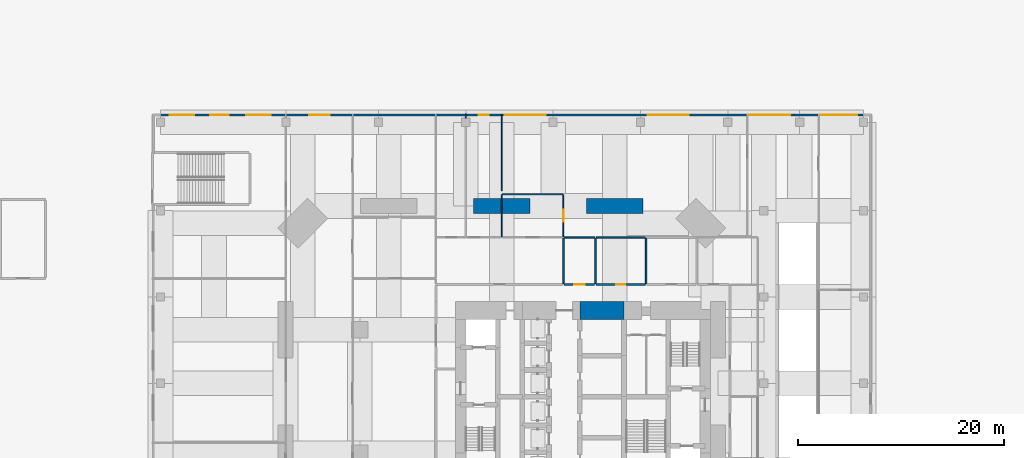
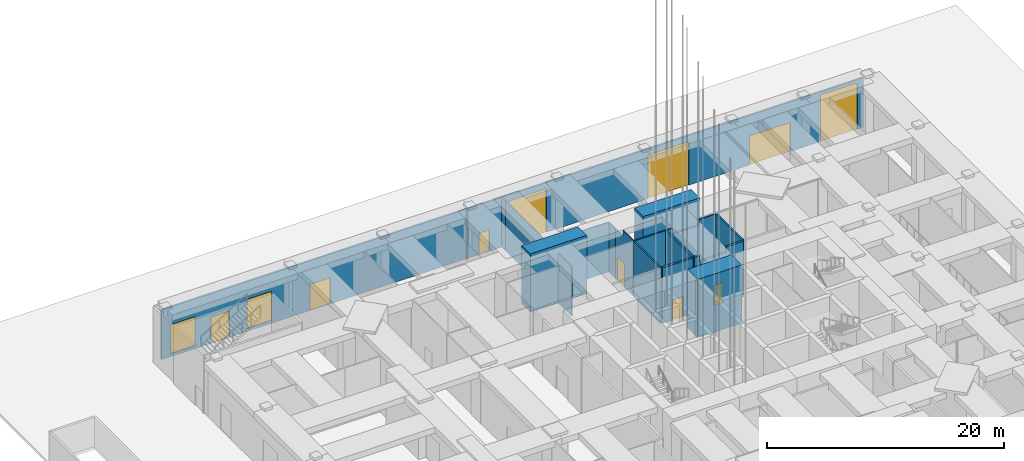
# One storey, part 8 of 17: 18 walls, 10 doors, 2 windows, 12 openings.
"""IFC4 building model written with IfcOpenShell, lengths in metres."""

import ifcopenshell
import ifcopenshell.guid

model = None  # the IFC model being written
_history = None  # IfcOwnerHistory: only IFC2X3 demands one
_inside = {}  # id of a spatial element -> (the spatial element, [elements in it])
_under = {}  # id of a project, library or spatial element -> (it, [spatial elements below it])
_declared = {}  # id of a project -> (the project, [libraries it declares])
_typed = {}  # id of a type object -> (the type object, [elements of that type])
_made_of = {}  # id of a material, layer set ... -> (it, [elements and type objects made of it])


def new_model(schema):
    """Start an empty IFC model of exactly this schema.

    Asked for "IFC4X3", IfcOpenShell would pick the latest addendum, in which some entities
    have other attributes; the version numbers below select the first issue.
    IFC2X3 requires an IfcOwnerHistory on every rooted entity: one is made here for all.
    """
    global model, _history
    if schema == "IFC4X3":
        model = ifcopenshell.file(schema_version=(4, 3, 0, 0))
    else:
        model = ifcopenshell.file(schema=schema)
    _inside.clear()
    _under.clear()
    _declared.clear()
    _typed.clear()
    _made_of.clear()
    _history = None
    if model.schema == "IFC2X3":
        org = make("IfcOrganization", Name="unknown")
        user = make(
            "IfcPersonAndOrganization",
            ThePerson=make("IfcPerson", FamilyName="unknown"),
            TheOrganization=org,
        )
        app = make(
            "IfcApplication",
            ApplicationDeveloper=org,
            Version="unknown",
            ApplicationFullName="unknown",
            ApplicationIdentifier="unknown",
        )
        _history = make(
            "IfcOwnerHistory",
            OwningUser=user,
            OwningApplication=app,
            ChangeAction="ADDED",
            CreationDate=0,
        )
    return model


def make(cls, **values):
    """One entity of the class cls with the attributes given. An attribute that is None is left unset."""
    return model.create_entity(
        cls, **{name: value for name, value in values.items() if value is not None}
    )


def rooted(cls, **values):
    """An entity with a GlobalId (a new one), such as an element, a storey or a relation."""
    return make(cls, GlobalId=ifcopenshell.guid.new(), OwnerHistory=_history, **values)


def si_unit(unit_type, name, prefix=None):
    """IfcSIUnit, for example si_unit("LENGTHUNIT", "METRE", prefix="MILLI")."""
    return make("IfcSIUnit", UnitType=unit_type, Prefix=prefix, Name=name)


def assignment(units):
    """IfcUnitAssignment: the units of a project."""
    return None if units is None else make("IfcUnitAssignment", Units=units)


def point(xyz):
    """IfcCartesianPoint."""
    return None if xyz is None else make("IfcCartesianPoint", Coordinates=xyz)


def direction(xyz):
    """IfcDirection."""
    return None if xyz is None else make("IfcDirection", DirectionRatios=xyz)


def frame(location, z_axis=None, x_axis=None):
    """IfcAxis2Placement3D, a coordinate frame: its origin and axes. An axis left out is left unset."""
    return make(
        "IfcAxis2Placement3D",
        Location=point(location),
        Axis=direction(z_axis),
        RefDirection=direction(x_axis),
    )


def frame_2d(location, x_axis=None):
    """IfcAxis2Placement2D, a coordinate frame in the plane: its origin and x axis."""
    return make(
        "IfcAxis2Placement2D", Location=point(location), RefDirection=direction(x_axis)
    )


def origin():
    """The frame at (0, 0, 0) with its axes left unset."""
    return frame((0.0, 0.0, 0.0))


def place(relative_to, where):
    """IfcLocalPlacement: puts the frame where relative to a parent placement (None: the world)."""
    return make(
        "IfcLocalPlacement", PlacementRelTo=relative_to, RelativePlacement=where
    )


def context(
    kind, dimensions, precision=None, world=None, true_north=None, identifier=None
):
    """IfcGeometricRepresentationContext, for example the 3D "Model" context."""
    return make(
        "IfcGeometricRepresentationContext",
        ContextIdentifier=identifier,
        ContextType=kind,
        CoordinateSpaceDimension=dimensions,
        Precision=precision,
        WorldCoordinateSystem=world,
        TrueNorth=true_north,
    )


def subcontext(parent, identifier, kind, view, scale=None):
    """IfcGeometricRepresentationSubContext, for example "Body" below "Model"."""
    return make(
        "IfcGeometricRepresentationSubContext",
        ContextIdentifier=identifier,
        ContextType=kind,
        ParentContext=parent,
        TargetScale=scale,
        TargetView=view,
    )


def project(units=None, contexts=None):
    """IfcProject with its units and contexts."""
    return rooted(
        "IfcProject",
        Name="project",
        RepresentationContexts=contexts,
        UnitsInContext=assignment(units),
    )


def spatial(cls, under=None, at=None, **own):
    """A site, building, storey or space (cls), placed at a placement, below another one or the project."""
    s = rooted(cls, ObjectPlacement=at, **own)
    if under is not None:
        _under.setdefault(under.id(), (under, []))[1].append(s)
    return s


def polyline(points):
    """IfcPolyline through the points."""
    return make("IfcPolyline", Points=[point(p) for p in points])


def profile(cls, at=None, kind="AREA", **sizes):
    """A parametric profile (cls). Its sizes go by their IFC names, for example OverallWidth=200.0."""
    return make(cls, ProfileType=kind, Position=at, **sizes)


def rectangle(**sizes):
    """IfcRectangleProfileDef."""
    return profile("IfcRectangleProfileDef", **sizes)


def outline(outer, holes=None, kind="AREA"):
    """IfcArbitraryClosedProfileDef: a profile drawn as a closed curve; with holes, ...WithVoids."""
    if holes is None:
        return make("IfcArbitraryClosedProfileDef", ProfileType=kind, OuterCurve=outer)
    return make(
        "IfcArbitraryProfileDefWithVoids",
        ProfileType=kind,
        OuterCurve=outer,
        InnerCurves=holes,
    )


def extrude(swept, where, along, depth):
    """IfcExtrudedAreaSolid: the profile swept, set in the frame where, extruded along a direction by depth."""
    return make(
        "IfcExtrudedAreaSolid",
        SweptArea=swept,
        Position=where,
        ExtrudedDirection=direction(along),
        Depth=depth,
    )


def shape(context_of_items, identifier, shape_type, items):
    """IfcShapeRepresentation: the items that make up one representation, for example the "Body"."""
    return make(
        "IfcShapeRepresentation",
        ContextOfItems=context_of_items,
        RepresentationIdentifier=identifier,
        RepresentationType=shape_type,
        Items=items,
    )


def material(Name=None, Category=None):
    """IfcMaterial."""
    return make("IfcMaterial", Name=Name, Category=Category)


def layer(
    of_material, thickness, ventilated=None, Name=None, Category=None, Priority=None
):
    """IfcMaterialLayer: one layer of a wall or slab, of a material (None: an air gap)."""
    return make(
        "IfcMaterialLayer",
        Material=of_material,
        LayerThickness=thickness,
        IsVentilated=ventilated,
        Name=Name,
        Category=Category,
        Priority=Priority,
    )


def layer_set(layers, Name=None):
    """IfcMaterialLayerSet."""
    return make("IfcMaterialLayerSet", MaterialLayers=layers, LayerSetName=Name)


def constituent(of_material, Name=None, Category=None, fraction=None):
    """IfcMaterialConstituent: one of the materials an element consists of."""
    return make(
        "IfcMaterialConstituent",
        Name=Name,
        Material=of_material,
        Fraction=fraction,
        Category=Category,
    )


def constituent_set(constituents=None, Name=None):
    """IfcMaterialConstituentSet."""
    return make(
        "IfcMaterialConstituentSet", Name=Name, MaterialConstituents=constituents
    )


def made_of(thing, what):
    """Note that an element or type object is made of a material, layer set ...; save() writes the relation."""
    if what is not None:
        _made_of.setdefault(what.id(), (what, []))[1].append(thing)
    return thing


def type_object(cls, material=None, **own):
    """A type object (cls), such as IfcWallType, which elements share."""
    return made_of(rooted(cls, **own), material)


def element(
    cls,
    number,
    at=None,
    inside=None,
    cuts=None,
    type_object=None,
    material=None,
    context=None,
    identifier="Body",
    shape_type=None,
    held_by="IfcProductDefinitionShape",
    body=None,
    shapes=None,
    **own,
):
    """One element of the class cls, such as IfcWall. Its Tag is "e" and its number.

    at: its placement. inside: the storey or other place that contains it. cuts: it is an
    opening in that element (IfcRelVoidsElement). A single representation is given by context,
    identifier, shape_type and body (its items); several are given by shapes. held_by: the class
    of the entity that holds the representations. save() writes the other relations.
    """
    e = rooted(cls, Tag="e%d" % number, ObjectPlacement=at, **own)
    if body is not None:
        shapes = [shape(context, identifier, shape_type, body)]
    if shapes is not None:
        e.Representation = make(held_by, Representations=shapes)
    if inside is not None:
        _inside.setdefault(inside.id(), (inside, []))[1].append(e)
    if cuts is not None:
        rooted(
            "IfcRelVoidsElement", RelatingBuildingElement=cuts, RelatedOpeningElement=e
        )
    if type_object is not None:
        _typed.setdefault(type_object.id(), (type_object, []))[1].append(e)
    return made_of(e, material)


def fill(opening, filler):
    """IfcRelFillsElement: the door or window that sits in an opening."""
    return rooted(
        "IfcRelFillsElement",
        RelatingOpeningElement=opening,
        RelatedBuildingElement=filler,
    )


def aggregate(whole, parts):
    """IfcRelAggregates: a whole, such as a stair, and the parts it consists of."""
    return rooted("IfcRelAggregates", RelatingObject=whole, RelatedObjects=parts)


def save(model, path):
    """Write the relations noted so far, then the file.

    IfcRelAggregates (storeys below a building ...), IfcRelContainedInSpatialStructure (elements
    in a storey), IfcRelDefinesByType, IfcRelAssociatesMaterial and IfcRelDeclares: one each for
    every whole, place, type object, material and project.
    """
    for whole, parts in _under.values():
        aggregate(whole, parts)
    for where, things in _inside.values():
        rooted(
            "IfcRelContainedInSpatialStructure",
            RelatedElements=things,
            RelatingStructure=where,
        )
    for kind, things in _typed.values():
        rooted("IfcRelDefinesByType", RelatedObjects=things, RelatingType=kind)
    for what, things in _made_of.values():
        rooted("IfcRelAssociatesMaterial", RelatedObjects=things, RelatingMaterial=what)
    for by, libraries in _declared.values():
        rooted("IfcRelDeclares", RelatingContext=by, RelatedDefinitions=libraries)
    model.write(path)


model = new_model("IFC4")

# Units and contexts
model_context = context("Model", 3, precision=1e-05, world=origin(), true_north=direction((0.0, 1.0)))
body_context = subcontext(model_context, "Body", "Model", "MODEL_VIEW")
ifc_project = project(units=[si_unit("LENGTHUNIT", "METRE"), si_unit("AREAUNIT", "SQUARE_METRE"), si_unit("VOLUMEUNIT", "CUBIC_METRE"), si_unit("PLANEANGLEUNIT", "RADIAN"), si_unit("MASSUNIT", "GRAM", prefix="KILO")], contexts=[model_context])

# Site, building, storey
site_placement = place(None, origin())
site = spatial("IfcSite", under=ifc_project, at=site_placement, CompositionType="ELEMENT")
building_placement = place(site_placement, origin())
building = spatial("IfcBuilding", under=site, at=building_placement, Name="Jalousie Tower", CompositionType="ELEMENT")
storey_placement = place(building_placement, origin())
storey = spatial("IfcBuildingStorey", under=building, at=storey_placement, Name="L00", CompositionType="ELEMENT", Elevation=0.0)

# Walls
ifc_material_1 = material(Name="Concrete block ASTM C90", Category="concrete")
ifc_constituent_1 = constituent(ifc_material_1, Name="Body")
ifc_material_2 = material(Name="Render")
ifc_constituent_2 = constituent(ifc_material_2, Name="Finish")
ifc_constituent_set_1 = constituent_set(constituents=[ifc_constituent_1, ifc_constituent_2])
wall_type_1 = type_object("IfcWallType", Name="BATHROOM WALL 150", PredefinedType="PLUMBINGWALL", material=ifc_constituent_set_1)
for number, where, z_axis, x_axis, name in (
    (1, (30.0, 29.5, 0.0), (0.0, 0.0, 1.0), (0.0, 1.0, 0.0), "Bathroom Wall 150 L00"),
    (2, (33.1201171875, 29.5, 0.0), (0.0, 0.0, 1.0), (0.0, 1.0, 0.0), "Bathroom Wall 150 L00"),
):
    element("IfcWall", number, at=place(storey_placement, frame(where, z_axis=z_axis, x_axis=x_axis)), inside=storey, type_object=wall_type_1, Name=name, PredefinedType="PLUMBINGWALL", context=body_context, shape_type="SweptSolid", body=[
        extrude(rectangle(XDim=4.425048828125, YDim=0.14990234375, at=frame_2d((2.21240234375, 0.0))), origin(), (0.0, 0.0, 1.0), 5.719970703125),
    ])
wall_1_placement = place(storey_placement, frame((30.074951171875, 34.0, 0.0), z_axis=(0.0, 0.0, 1.0), x_axis=(1.0, 0.0, 0.0)))
element("IfcWall", 3, at=wall_1_placement, inside=storey, type_object=wall_type_1, Name="Bathroom Wall 150 L00", PredefinedType="PLUMBINGWALL", context=body_context, shape_type="SweptSolid", body=[
    extrude(rectangle(XDim=2.969970703125, YDim=0.14990234375, at=frame_2d((1.48486328125, 0.0))), origin(), (0.0, 0.0, 1.0), 5.719970703125),
])
wall_2_placement = place(storey_placement, frame((38.06005859375, 29.5, 0.0), z_axis=(0.0, 0.0, 1.0), x_axis=(0.0, 1.0, 0.0)))
element("IfcWall", 4, at=wall_2_placement, inside=storey, type_object=wall_type_1, Name="Bathroom Wall 150 L00", PredefinedType="PLUMBINGWALL", context=body_context, shape_type="SweptSolid", body=[
    extrude(rectangle(XDim=4.425048828125, YDim=0.14990234375, at=frame_2d((2.21240234375, 0.0))), origin(), (0.0, 0.0, 1.0), 5.719970703125),
])
wall_3_placement = place(storey_placement, frame((33.195068359375, 34.0, 0.0), z_axis=(0.0, 0.0, 1.0), x_axis=(1.0, 0.0, 0.0)))
element("IfcWall", 5, at=wall_3_placement, inside=storey, type_object=wall_type_1, Name="Bathroom Wall 150 L00", PredefinedType="PLUMBINGWALL", context=body_context, shape_type="SweptSolid", body=[
    extrude(outline(polyline([(0.0, 0.0), (4.7900390625, 0.0), (4.7900390625, 5.719970703125), (3.090087890625, 5.719970703125), (3.090087890625, 5.1201171875), (0.52001953125, 5.1201171875), (0.52001953125, 5.719970703125), (0.0, 5.719970703125), (0.0, 0.0)])), frame((0.0, 0.074951171875, 0.0), z_axis=(0.0, -1.0, 0.0), x_axis=(1.0, 0.0, 0.0)), (0.0, 0.0, 1.0), 0.14990234375),
])
ifc_material_3 = material(Name="Concrete f'c 120 MPa", Category="concrete")
ifc_layer_1 = layer(ifc_material_3, 1.75)
ifc_layer_set_1 = layer_set([ifc_layer_1], Name="Concrete f'c 120 MPa")
wall_type_2 = type_object("IfcWallType", Name="CORE WALL 1750", PredefinedType="SHEAR", material=ifc_layer_set_1)
wall_4_placement = place(storey_placement, frame((35.89990234375, 26.875, 0.0), z_axis=(0.0, 0.0, 1.0), x_axis=(-1.0, 0.0, 0.0)))
element("IfcWall", 6, at=wall_4_placement, inside=storey, type_object=wall_type_2, Name="Core wall NB L00", PredefinedType="SHEAR", context=body_context, shape_type="SweptSolid", body=[
    extrude(rectangle(XDim=4.2998046875, YDim=1.75, at=frame_2d((2.14990234375, 0.0))), origin(), (0.0, 0.0, 1.0), 6.0),
])

# Wall, opening, door
ifc_material_4 = material(Name="Concrete block ASTM C90", Category="concrete")
ifc_constituent_3 = constituent(ifc_material_4, Name="Body")
ifc_material_5 = material(Name="Render")
ifc_constituent_4 = constituent(ifc_material_5, Name="Finish")
ifc_constituent_set_2 = constituent_set(constituents=[ifc_constituent_3, ifc_constituent_4])
wall_type_3 = type_object("IfcWallType", Name="CORRIDOR WALL 200", PredefinedType="PARTITIONING", material=ifc_constituent_set_2)
wall_5_placement = place(storey_placement, frame((30.074951171875, 29.39990234375, 0.0), z_axis=(0.0, 0.0, 1.0), x_axis=(1.0, 0.0, 0.0)))
wall_5 = element("IfcWall", 7, at=wall_5_placement, inside=storey, type_object=wall_type_3, Name="Corridor Wall 200 L00", PredefinedType="PARTITIONING", context=body_context, shape_type="SweptSolid", body=[
    extrude(rectangle(XDim=2.969970703125, YDim=0.199951171875, at=frame_2d((1.48486328125, 0.0))), origin(), (0.0, 0.0, 1.0), 5.719970703125),
])
opening_1_placement = place(wall_5_placement, frame((0.985107421875, 0.0, 0.0)))
opening_1 = element("IfcOpeningElement", 8, at=opening_1_placement, cuts=wall_5, Name="Opening D21", PredefinedType="OPENING", context=body_context, shape_type="SweptSolid", body=[
    extrude(rectangle(XDim=1.0, YDim=2.10009765625, at=frame_2d((0.5, 1.050048828125))), frame((0.0, 0.10986328125, 0.0), z_axis=(0.0, -1.0, 0.0), x_axis=(1.0, 0.0, 0.0)), (0.0, 0.0, 1.0), 0.219970703125),
])
ifc_material_6 = material(Name="Timber fire door", Category="wood")
door_type_1 = type_object("IfcDoorType", Name="CORRIDOR DOOR 1000", OperationType="SINGLE_SWING_LEFT", PredefinedType="DOOR", material=ifc_material_6)
door_1_placement = place(opening_1_placement, origin())
door_1 = element("IfcDoor", 9, at=door_1_placement, inside=storey, type_object=door_type_1, Name="Accessible WC door", OperationType="SINGLE_SWING_RIGHT", OverallHeight=2.10009765625, OverallWidth=1.0, PredefinedType="DOOR", context=body_context, shape_type="SweptSolid", body=[
    extrude(rectangle(XDim=1.0, YDim=2.10009765625, at=frame_2d((0.5, 1.050048828125))), frame((0.0, 0.02490234375, 0.0), z_axis=(0.0, -1.0, 0.0), x_axis=(1.0, 0.0, 0.0)), (0.0, 0.0, 1.0), 0.050048828125),
])
fill(opening_1, door_1)

wall_6_placement = place(storey_placement, frame((33.195068359375, 29.39990234375, 0.0), z_axis=(0.0, 0.0, 1.0), x_axis=(1.0, 0.0, 0.0)))
wall_6 = element("IfcWall", 10, at=wall_6_placement, inside=storey, type_object=wall_type_3, Name="Corridor Wall 200 L00", PredefinedType="PARTITIONING", context=body_context, shape_type="SweptSolid", body=[
    extrude(outline(polyline([(0.0, 0.0), (4.7900390625, 0.0), (4.7900390625, 5.719970703125), (3.114990234375, 5.719970703125), (3.114990234375, 5.1201171875), (0.4951171875, 5.1201171875), (0.4951171875, 5.719970703125), (0.0, 5.719970703125), (0.0, 0.0)])), frame((0.0, 0.10009765625, 0.0), z_axis=(0.0, -1.0, 0.0), x_axis=(1.0, 0.0, 0.0)), (0.0, 0.0, 1.0), 0.199951171875),
])
opening_2_placement = place(wall_6_placement, frame((1.945068359375, 0.0, 0.0)))
opening_2 = element("IfcOpeningElement", 11, at=opening_2_placement, cuts=wall_6, Name="Opening D20", PredefinedType="OPENING", context=body_context, shape_type="SweptSolid", body=[
    extrude(rectangle(XDim=0.89990234375, YDim=2.10009765625, at=frame_2d((0.449951171875, 1.050048828125))), frame((0.0, 0.10986328125, 0.0), z_axis=(0.0, -1.0, 0.0), x_axis=(1.0, 0.0, 0.0)), (0.0, 0.0, 1.0), 0.219970703125),
])
ifc_material_7 = material(Name="Timber fire door", Category="wood")
door_type_2 = type_object("IfcDoorType", Name="CORRIDOR DOOR 900", OperationType="SINGLE_SWING_LEFT", PredefinedType="DOOR", material=ifc_material_7)
door_2_placement = place(opening_2_placement, origin())
door_2 = element("IfcDoor", 12, at=door_2_placement, inside=storey, type_object=door_type_2, Name="Female WC door", OperationType="SINGLE_SWING_RIGHT", OverallHeight=2.10009765625, OverallWidth=0.89990234375, PredefinedType="DOOR", context=body_context, shape_type="SweptSolid", body=[
    extrude(rectangle(XDim=0.89990234375, YDim=2.10009765625, at=frame_2d((0.449951171875, 1.050048828125))), frame((0.0, 0.02490234375, 0.0), z_axis=(0.0, -1.0, 0.0), x_axis=(1.0, 0.0, 0.0)), (0.0, 0.0, 1.0), 0.050048828125),
])
fill(opening_2, door_2)

# Wall, openings, doors, windows
ifc_material_8 = material(Name="Concrete f'c 40 MPa", Category="concrete")
ifc_constituent_5 = constituent(ifc_material_8, Name="Body")
ifc_material_9 = material(Name="Render, pastel coral")
ifc_constituent_6 = constituent(ifc_material_9, Name="Finish")
ifc_constituent_set_3 = constituent_set(constituents=[ifc_constituent_5, ifc_constituent_6])
wall_type_4 = type_object("IfcWallType", Name="EXTERNAL WALL 175 CORAL RENDER", PredefinedType="SOLIDWALL", material=ifc_constituent_set_3)
wall_7_placement = place(storey_placement, frame((59.199951171875, 45.91259765625, 0.0), z_axis=(0.0, 0.0, 1.0), x_axis=(-1.0, 0.0, 0.0)))
wall_7 = element("IfcWall", 13, at=wall_7_placement, inside=storey, type_object=wall_type_4, Name="External Wall 175 Coral Render L00-B", PredefinedType="SOLIDWALL", context=body_context, shape_type="SweptSolid", body=[
    extrude(rectangle(XDim=68.39990234375, YDim=0.175048828125, at=frame_2d((34.199951171875, 0.0))), origin(), (0.0, 0.0, 1.0), 5.1201171875),
])
opening_3_placement = place(wall_7_placement, frame((0.60009765625, 0.0, 0.0)))
opening_3 = element("IfcOpeningElement", 14, at=opening_3_placement, cuts=wall_7, Name="Opening D-LOAD2", PredefinedType="OPENING", context=body_context, shape_type="SweptSolid", body=[
    extrude(rectangle(XDim=3.60009765625, YDim=4.800048828125, at=frame_2d((1.800048828125, 2.39990234375))), frame((0.0, 0.097412109375, 0.0), z_axis=(0.0, -1.0, 0.0), x_axis=(1.0, 0.0, 0.0)), (0.0, 0.0, 1.0), 0.195068359375),
])
opening_4_placement = place(wall_7_placement, frame((7.10009765625, 0.0, 0.0)))
opening_4 = element("IfcOpeningElement", 15, at=opening_4_placement, cuts=wall_7, Name="Opening D-CAR", PredefinedType="OPENING", context=body_context, shape_type="SweptSolid", body=[
    extrude(rectangle(XDim=4.0, YDim=3.0, at=frame_2d((2.0, 1.5))), frame((0.0, 0.097412109375, 0.0), z_axis=(0.0, -1.0, 0.0), x_axis=(1.0, 0.0, 0.0)), (0.0, 0.0, 1.0), 0.195068359375),
])
opening_5_placement = place(wall_7_placement, frame((30.89990234375, 0.0, 0.0)))
opening_5 = element("IfcOpeningElement", 16, at=opening_5_placement, cuts=wall_7, Name="Opening D-LOAD", PredefinedType="OPENING", context=body_context, shape_type="SweptSolid", body=[
    extrude(rectangle(XDim=4.0, YDim=4.5, at=frame_2d((2.0, 2.25))), frame((0.0, 0.097412109375, 0.0), z_axis=(0.0, -1.0, 0.0), x_axis=(1.0, 0.0, 0.0)), (0.0, 0.0, 1.0), 0.195068359375),
])
opening_6_placement = place(wall_7_placement, frame((17.0, 0.0, 0.0)))
opening_6 = element("IfcOpeningElement", 17, at=opening_6_placement, cuts=wall_7, Name="Opening D-LOAD", PredefinedType="OPENING", context=body_context, shape_type="SweptSolid", body=[
    extrude(rectangle(XDim=4.0, YDim=4.5, at=frame_2d((2.0, 2.25))), frame((0.0, 0.097412109375, 0.0), z_axis=(0.0, -1.0, 0.0), x_axis=(1.0, 0.0, 0.0)), (0.0, 0.0, 1.0), 0.195068359375),
])
opening_7_placement = place(wall_7_placement, frame((36.449951171875, 0.0, 0.0)))
opening_7 = element("IfcOpeningElement", 18, at=opening_7_placement, cuts=wall_7, Name="Opening D-PED", PredefinedType="OPENING", context=body_context, shape_type="SweptSolid", body=[
    extrude(rectangle(XDim=1.0, YDim=2.199951171875, at=frame_2d((0.5, 1.10009765625))), frame((0.0, 0.097412109375, 0.0), z_axis=(0.0, -1.0, 0.0), x_axis=(1.0, 0.0, 0.0)), (0.0, 0.0, 1.0), 0.195068359375),
])
opening_8_placement = place(wall_7_placement, frame((51.949951171875, 0.0, 0.0)))
opening_8 = element("IfcOpeningElement", 19, at=opening_8_placement, cuts=wall_7, Name="Opening D-ENT", PredefinedType="OPENING", context=body_context, shape_type="SweptSolid", body=[
    extrude(rectangle(XDim=2.0, YDim=2.699951171875, at=frame_2d((1.0, 1.35009765625))), frame((0.0, 0.097412109375, 0.0), z_axis=(0.0, -1.0, 0.0), x_axis=(1.0, 0.0, 0.0)), (0.0, 0.0, 1.0), 0.195068359375),
])
opening_9_placement = place(wall_7_placement, frame((61.78125, 0.0, 0.0)))
opening_9 = element("IfcOpeningElement", 20, at=opening_9_placement, cuts=wall_7, Name="Opening D-SHP", PredefinedType="OPENING", context=body_context, shape_type="SweptSolid", body=[
    extrude(rectangle(XDim=1.800048828125, YDim=2.699951171875, at=frame_2d((0.89990234375, 1.35009765625))), frame((0.0, 0.097412109375, 0.0), z_axis=(0.0, -1.0, 0.0), x_axis=(1.0, 0.0, 0.0)), (0.0, 0.0, 1.0), 0.195068359375),
])
opening_10_placement = place(wall_7_placement, frame((57.66552734375, 0.0, 0.300048828125)))
opening_10 = element("IfcOpeningElement", 21, at=opening_10_placement, cuts=wall_7, Name="Opening W-SHOP", PredefinedType="OPENING", context=body_context, shape_type="SweptSolid", body=[
    extrude(rectangle(XDim=2.39990234375, YDim=3.0, at=frame_2d((1.199951171875, 1.5))), frame((0.0, 0.097412109375, 0.0), z_axis=(0.0, -1.0, 0.0), x_axis=(1.0, 0.0, 0.0)), (0.0, 0.0, 1.0), 0.195068359375),
])
opening_11_placement = place(wall_7_placement, frame((65.12939453125, 0.0, 0.300048828125)))
opening_11 = element("IfcOpeningElement", 22, at=opening_11_placement, cuts=wall_7, Name="Opening W-SHOP", PredefinedType="OPENING", context=body_context, shape_type="SweptSolid", body=[
    extrude(rectangle(XDim=2.39990234375, YDim=3.0, at=frame_2d((1.199951171875, 1.5))), frame((0.0, 0.097412109375, 0.0), z_axis=(0.0, -1.0, 0.0), x_axis=(1.0, 0.0, 0.0)), (0.0, 0.0, 1.0), 0.195068359375),
])
ifc_material_10 = material(Name="Steel roller shutter", Category="steel")
door_type_3 = type_object("IfcDoorType", Name="CAR PARK DOOR 4000x3000", OperationType="ROLLINGUP", PredefinedType="DOOR", material=ifc_material_10)
door_3_placement = place(opening_4_placement, frame((4.0, 0.0, 0.0), z_axis=(0.0, 0.0, 1.0), x_axis=(-1.0, 0.0, 0.0)))
door_3 = element("IfcDoor", 23, at=door_3_placement, inside=storey, type_object=door_type_3, Name="Car park entrance street door", OperationType="ROLLINGUP", OverallHeight=3.0, OverallWidth=4.0, PredefinedType="DOOR", context=body_context, shape_type="SweptSolid", body=[
    extrude(rectangle(XDim=4.0, YDim=3.0, at=frame_2d((2.0, 1.5))), frame((0.0, 0.02490234375, 0.0), z_axis=(0.0, -1.0, 0.0), x_axis=(1.0, 0.0, 0.0)), (0.0, 0.0, 1.0), 0.050048828125),
])
fill(opening_4, door_3)
ifc_material_11 = material(Name="Aluminium frame, impact-rated glazing", Category="aluminium")
door_type_4 = type_object("IfcDoorType", Name="ENTRANCE DOOR 2000x2700", OperationType="DOUBLE_DOOR_SINGLE_SWING", PredefinedType="DOOR", material=ifc_material_11)
door_4_placement = place(opening_8_placement, frame((2.0, 0.0, 0.0), z_axis=(0.0, 0.0, 1.0), x_axis=(-1.0, 0.0, 0.0)))
door_4 = element("IfcDoor", 24, at=door_4_placement, inside=storey, type_object=door_type_4, Name="Concourse street door", OperationType="DOUBLE_DOOR_SINGLE_SWING", OverallHeight=2.699951171875, OverallWidth=2.0, PredefinedType="DOOR", context=body_context, shape_type="SweptSolid", body=[
    extrude(rectangle(XDim=2.0, YDim=2.699951171875, at=frame_2d((1.0, 1.35009765625))), frame((0.0, 0.02490234375, 0.0), z_axis=(0.0, -1.0, 0.0), x_axis=(1.0, 0.0, 0.0)), (0.0, 0.0, 1.0), 0.050048828125),
])
fill(opening_8, door_4)
ifc_material_12 = material(Name="Steel roller shutter", Category="steel")
door_type_5 = type_object("IfcDoorType", Name="LOADING DOOR 3600x4800", OperationType="ROLLINGUP", PredefinedType="DOOR", material=ifc_material_12)
door_5_placement = place(opening_3_placement, frame((3.60009765625, 0.0, 0.0), z_axis=(0.0, 0.0, 1.0), x_axis=(-1.0, 0.0, 0.0)))
door_5 = element("IfcDoor", 25, at=door_5_placement, inside=storey, type_object=door_type_5, Name="Loading berth 1 street door", OperationType="ROLLINGUP", OverallHeight=4.800048828125, OverallWidth=3.60009765625, PredefinedType="DOOR", context=body_context, shape_type="SweptSolid", body=[
    extrude(rectangle(XDim=3.60009765625, YDim=4.800048828125, at=frame_2d((1.800048828125, 2.39990234375))), frame((0.0, 0.02490234375, 0.0), z_axis=(0.0, -1.0, 0.0), x_axis=(1.0, 0.0, 0.0)), (0.0, 0.0, 1.0), 0.050048828125),
])
fill(opening_3, door_5)
ifc_material_13 = material(Name="Steel roller shutter", Category="steel")
door_type_6 = type_object("IfcDoorType", Name="LOADING DOOR 4000x4500", OperationType="ROLLINGUP", PredefinedType="DOOR", material=ifc_material_13)
door_6_placement = place(opening_5_placement, frame((4.0, 0.0, 0.0), z_axis=(0.0, 0.0, 1.0), x_axis=(-1.0, 0.0, 0.0)))
door_6 = element("IfcDoor", 26, at=door_6_placement, inside=storey, type_object=door_type_6, Name="Loading berth 3 street door", OperationType="ROLLINGUP", OverallHeight=4.5, OverallWidth=4.0, PredefinedType="DOOR", context=body_context, shape_type="SweptSolid", body=[
    extrude(rectangle(XDim=4.0, YDim=4.5, at=frame_2d((2.0, 2.25))), frame((0.0, 0.02490234375, 0.0), z_axis=(0.0, -1.0, 0.0), x_axis=(1.0, 0.0, 0.0)), (0.0, 0.0, 1.0), 0.050048828125),
])
fill(opening_5, door_6)
door_7_placement = place(opening_6_placement, frame((4.0, 0.0, 0.0), z_axis=(0.0, 0.0, 1.0), x_axis=(-1.0, 0.0, 0.0)))
door_7 = element("IfcDoor", 27, at=door_7_placement, inside=storey, type_object=door_type_6, Name="Loading berth 2 street door", OperationType="ROLLINGUP", OverallHeight=4.5, OverallWidth=4.0, PredefinedType="DOOR", context=body_context, shape_type="SweptSolid", body=[
    extrude(rectangle(XDim=4.0, YDim=4.5, at=frame_2d((2.0, 2.25))), frame((0.0, 0.02490234375, 0.0), z_axis=(0.0, -1.0, 0.0), x_axis=(1.0, 0.0, 0.0)), (0.0, 0.0, 1.0), 0.050048828125),
])
fill(opening_6, door_7)
ifc_material_14 = material(Name="Steel door", Category="steel")
door_type_7 = type_object("IfcDoorType", Name="PEDESTRIAN DOOR 1000x2200", OperationType="SINGLE_SWING_LEFT", PredefinedType="DOOR", material=ifc_material_14)
door_8_placement = place(opening_7_placement, frame((1.0, 0.0, 0.0), z_axis=(0.0, 0.0, 1.0), x_axis=(-1.0, 0.0, 0.0)))
door_8 = element("IfcDoor", 28, at=door_8_placement, inside=storey, type_object=door_type_7, Name="Management office street door", OperationType="SINGLE_SWING_LEFT", OverallHeight=2.199951171875, OverallWidth=1.0, PredefinedType="DOOR", context=body_context, shape_type="SweptSolid", body=[
    extrude(rectangle(XDim=1.0, YDim=2.199951171875, at=frame_2d((0.5, 1.10009765625))), frame((0.0, 0.02490234375, 0.0), z_axis=(0.0, -1.0, 0.0), x_axis=(1.0, 0.0, 0.0)), (0.0, 0.0, 1.0), 0.050048828125),
])
fill(opening_7, door_8)
ifc_material_15 = material(Name="Aluminium frame, impact-rated glazing", Category="aluminium")
door_type_8 = type_object("IfcDoorType", Name="SHOP DOOR 1800x2700", OperationType="DOUBLE_DOOR_SINGLE_SWING", PredefinedType="DOOR", material=ifc_material_15)
door_9_placement = place(opening_9_placement, frame((1.800048828125, 0.0, 0.0), z_axis=(0.0, 0.0, 1.0), x_axis=(-1.0, 0.0, 0.0)))
door_9 = element("IfcDoor", 29, at=door_9_placement, inside=storey, type_object=door_type_8, Name="Retail unit 3 street door", OperationType="DOUBLE_DOOR_SINGLE_SWING", OverallHeight=2.699951171875, OverallWidth=1.800048828125, PredefinedType="DOOR", context=body_context, shape_type="SweptSolid", body=[
    extrude(rectangle(XDim=1.800048828125, YDim=2.699951171875, at=frame_2d((0.89990234375, 1.35009765625))), frame((0.0, 0.02490234375, 0.0), z_axis=(0.0, -1.0, 0.0), x_axis=(1.0, 0.0, 0.0)), (0.0, 0.0, 1.0), 0.050048828125),
])
fill(opening_9, door_9)
ifc_material_16 = material(Name="Aluminium frame, impact-rated glazing", Category="aluminium")
window_type = type_object("IfcWindowType", Name="WINDOW SHOP 2400x3000", PartitioningType="DOUBLE_PANEL_VERTICAL", PredefinedType="WINDOW", material=ifc_material_16)
window_1_placement = place(opening_10_placement, origin())
window_1 = element("IfcWindow", 30, at=window_1_placement, inside=storey, type_object=window_type, Name="Retail unit 3 shopfront window", OverallHeight=3.0, OverallWidth=2.39990234375, PartitioningType="SINGLE_PANEL", PredefinedType="WINDOW", context=body_context, shape_type="SweptSolid", body=[
    extrude(rectangle(XDim=2.39990234375, YDim=3.0, at=frame_2d((1.199951171875, 1.5))), frame((0.0, 0.030029296875, 0.0), z_axis=(0.0, -1.0, 0.0), x_axis=(1.0, 0.0, 0.0)), (0.0, 0.0, 1.0), 0.06005859375),
])
fill(opening_10, window_1)
window_2_placement = place(opening_11_placement, origin())
window_2 = element("IfcWindow", 31, at=window_2_placement, inside=storey, type_object=window_type, Name="Retail unit 3 shopfront window", OverallHeight=3.0, OverallWidth=2.39990234375, PartitioningType="SINGLE_PANEL", PredefinedType="WINDOW", context=body_context, shape_type="SweptSolid", body=[
    extrude(rectangle(XDim=2.39990234375, YDim=3.0, at=frame_2d((1.199951171875, 1.5))), frame((0.0, 0.030029296875, 0.0), z_axis=(0.0, -1.0, 0.0), x_axis=(1.0, 0.0, 0.0)), (0.0, 0.0, 1.0), 0.06005859375),
])
fill(opening_11, window_2)

# Wall, opening, door
ifc_material_17 = material(Name="Type X gypsum board", Category="gypsum")
ifc_constituent_7 = constituent(ifc_material_17, Name="Body")
ifc_material_18 = material(Name="Light-gauge steel studs ASTM A653 SS Grade 33", Category="steel")
ifc_constituent_8 = constituent(ifc_material_18, Name="Framing")
ifc_constituent_set_4 = constituent_set(constituents=[ifc_constituent_7, ifc_constituent_8])
wall_type_5 = type_object("IfcWallType", Name="FIRE PARTITION 100", PredefinedType="PARTITIONING", material=ifc_constituent_set_4)
wall_8_placement = place(storey_placement, frame((30.0, 34.074951171875, 0.0), z_axis=(0.0, 0.0, 1.0), x_axis=(0.0, 1.0, 0.0)))
wall_8 = element("IfcWall", 32, at=wall_8_placement, inside=storey, type_object=wall_type_5, Name="Fire Partition 100 L00-A", PredefinedType="PARTITIONING", context=body_context, shape_type="SweptSolid", body=[
    extrude(outline(polyline([(0.0, 0.0), (2.97509765625, 0.0), (2.97509765625, 5.1201171875), (1.715087890625, 5.1201171875), (1.715087890625, 5.719970703125), (0.0, 5.719970703125), (0.0, 0.0)])), frame((0.0, 0.050048828125, 0.0), z_axis=(0.0, -1.0, 0.0), x_axis=(1.0, 0.0, 0.0)), (0.0, 0.0, 1.0), 0.10009765625),
])
opening_12_placement = place(wall_8_placement, frame((1.425048828125, 0.0, 0.0)))
opening_12 = element("IfcOpeningElement", 33, at=opening_12_placement, cuts=wall_8, Name="Opening D8", PredefinedType="OPENING", context=body_context, shape_type="SweptSolid", body=[
    extrude(rectangle(XDim=1.199951171875, YDim=2.39990234375, at=frame_2d((0.60009765625, 1.199951171875))), frame((0.0, 0.06005859375, 0.0), z_axis=(0.0, -1.0, 0.0), x_axis=(1.0, 0.0, 0.0)), (0.0, 0.0, 1.0), 0.1201171875),
])
ifc_material_19 = material(Name="Steel fire door", Category="steel")
door_type_9 = type_object("IfcDoorType", Name="SERVICE DOOR 1200", OperationType="SINGLE_SWING_LEFT", PredefinedType="DOOR", material=ifc_material_19)
door_10_placement = place(opening_12_placement, origin())
door_10 = element("IfcDoor", 34, at=door_10_placement, inside=storey, type_object=door_type_9, Name="Refuse store loading door", OperationType="SINGLE_SWING_RIGHT", OverallHeight=2.39990234375, OverallWidth=1.199951171875, PredefinedType="DOOR", context=body_context, shape_type="SweptSolid", body=[
    extrude(rectangle(XDim=1.199951171875, YDim=2.39990234375, at=frame_2d((0.60009765625, 1.199951171875))), frame((0.0, 0.02490234375, 0.0), z_axis=(0.0, -1.0, 0.0), x_axis=(1.0, 0.0, 0.0)), (0.0, 0.0, 1.0), 0.050048828125),
])
fill(opening_12, door_10)

# Walls
wall_9_placement = place(storey_placement, frame((30.0, 37.050048828125, 0.0), z_axis=(0.0, 0.0, 1.0), x_axis=(0.0, 1.0, 0.0)))
element("IfcWall", 35, at=wall_9_placement, inside=storey, type_object=wall_type_5, Name="Fire Partition 100 L00-B", PredefinedType="PARTITIONING", context=body_context, shape_type="SweptSolid", body=[
    extrude(rectangle(XDim=1.099853515625, YDim=0.10009765625, at=frame_2d((0.5498046875, 0.0))), origin(), (0.0, 0.0, 1.0), 5.1201171875),
])
ifc_material_20 = material(Name="Gypsum board", Category="gypsum")
ifc_constituent_9 = constituent(ifc_material_20, Name="Body")
ifc_material_21 = material(Name="Light-gauge steel studs ASTM A653 SS Grade 33", Category="steel")
ifc_constituent_10 = constituent(ifc_material_21, Name="Framing")
ifc_constituent_set_5 = constituent_set(constituents=[ifc_constituent_9, ifc_constituent_10])
wall_type_6 = type_object("IfcWallType", Name="PARTITION 100", PredefinedType="PARTITIONING", material=ifc_constituent_set_5)
wall_10_placement = place(storey_placement, frame((24.0, 34.050048828125, 0.0), z_axis=(0.0, 0.0, 1.0), x_axis=(0.0, 1.0, 0.0)))
element("IfcWall", 36, at=wall_10_placement, inside=storey, type_object=wall_type_6, Name="Partition 100 L00", PredefinedType="PARTITIONING", context=body_context, shape_type="SweptSolid", body=[
    extrude(outline(polyline([(0.0, 0.0), (4.099853515625, 0.0), (4.10009765625, 5.719970703125), (4.10009765625, 5.1201171875), (3.06005859375, 5.1201171875), (0.0, 5.1201171875), (0.0, 5.719970703125), (0.0, 0.0)])), frame((0.0, 0.050048828125, 0.0), z_axis=(0.0, -1.0, 0.0), x_axis=(1.0, 0.0, 0.0)), (0.0, 0.0, 1.0), 0.10009765625),
])
wall_11_placement = place(storey_placement, frame((24.0, 38.550048828125, 0.0), z_axis=(0.0, 0.0, 1.0), x_axis=(0.0, 1.0, 0.0)))
element("IfcWall", 37, at=wall_11_placement, inside=storey, type_object=wall_type_6, Name="Partition 100 L00-A", PredefinedType="PARTITIONING", context=body_context, shape_type="SweptSolid", body=[
    extrude(rectangle(XDim=6.64990234375, YDim=0.10009765625, at=frame_2d((3.324951171875, 0.0))), origin(), (0.0, 0.0, 1.0), 5.1201171875),
])
wall_12_placement = place(storey_placement, frame((24.0, 45.199951171875, 0.0), z_axis=(0.0, 0.0, 1.0), x_axis=(0.0, 1.0, 0.0)))
element("IfcWall", 38, at=wall_12_placement, inside=storey, type_object=wall_type_6, Name="Partition 100 L00-B", PredefinedType="PARTITIONING", context=body_context, shape_type="SweptSolid", body=[
    extrude(rectangle(XDim=0.800048828125, YDim=0.10009765625, at=frame_2d((0.39990234375, 0.0))), origin(), (0.0, 0.0, 1.0), 5.1201171875),
])
wall_13_placement = place(storey_placement, frame((24.050048828125, 38.199951171875, 0.0), z_axis=(0.0, 0.0, 1.0), x_axis=(1.0, 0.0, 0.0)))
element("IfcWall", 39, at=wall_13_placement, inside=storey, type_object=wall_type_6, Name="Partition 100 L00", PredefinedType="PARTITIONING", context=body_context, shape_type="SweptSolid", body=[
    extrude(outline(polyline([(0.0, 0.0), (5.89990234375, 0.0), (5.89990234375, 5.719970703125), (5.89990234375, 5.1201171875), (1.2099609375, 5.1201171875), (0.010009765625, 5.1201171875), (0.0, 5.1201171875), (0.0, 5.719970703125), (0.0, 0.0)])), frame((0.0, 0.050048828125, 0.0), z_axis=(0.0, -1.0, 0.0), x_axis=(1.0, 0.0, 0.0)), (0.0, 0.0, 1.0), 0.10009765625),
])
wall_14_placement = place(storey_placement, frame((20.5, 45.60009765625, 0.0), z_axis=(0.0, 0.0, 1.0), x_axis=(0.0, 1.0, 0.0)))
element("IfcWall", 40, at=wall_14_placement, inside=storey, type_object=wall_type_6, Name="Partition 100 L00", PredefinedType="PARTITIONING", context=body_context, shape_type="SweptSolid", body=[
    extrude(outline(polyline([(0.0, 0.0), (0.409912109375, 0.0), (0.409912109375, 5.719970703125), (0.409912109375, 5.1201171875), (0.0, 5.1201171875), (0.0, 5.719970703125), (0.0, 0.0)])), frame((0.0, 0.050048828125, 0.0), z_axis=(0.0, -1.0, 0.0), x_axis=(1.0, 0.0, 0.0)), (0.0, 0.0, 1.0), 0.10009765625),
])
ifc_material_22 = material(Name="Concrete f'c 120 MPa", Category="concrete")
ifc_layer_2 = layer(ifc_material_22, 1.449951171875)
ifc_layer_set_2 = layer_set([ifc_layer_2], Name="Concrete f'c 120 MPa")
wall_type_7 = type_object("IfcWallType", Name="RC WALL PIER 1450", PredefinedType="SHEAR", material=ifc_layer_set_2)
for number, where, z_axis, x_axis, name in (
    (41, (32.25, 37.050048828125, 0.0), (0.0, 0.0, 1.0), (1.0, 0.0, 0.0), "Wall pier 09 L00"),
    (42, (21.25, 37.050048828125, 0.0), (0.0, 0.0, 1.0), (1.0, 0.0, 0.0), "Wall pier 10 L00"),
):
    element("IfcWall", number, at=place(storey_placement, frame(where, z_axis=z_axis, x_axis=x_axis)), inside=storey, type_object=wall_type_7, Name=name, PredefinedType="SHEAR", context=body_context, shape_type="SweptSolid", body=[
        extrude(rectangle(XDim=5.5, YDim=1.449951171875, at=frame_2d((2.75, 0.0))), origin(), (0.0, 0.0, 1.0), 6.0),
    ])

save(model, "model.ifc")
